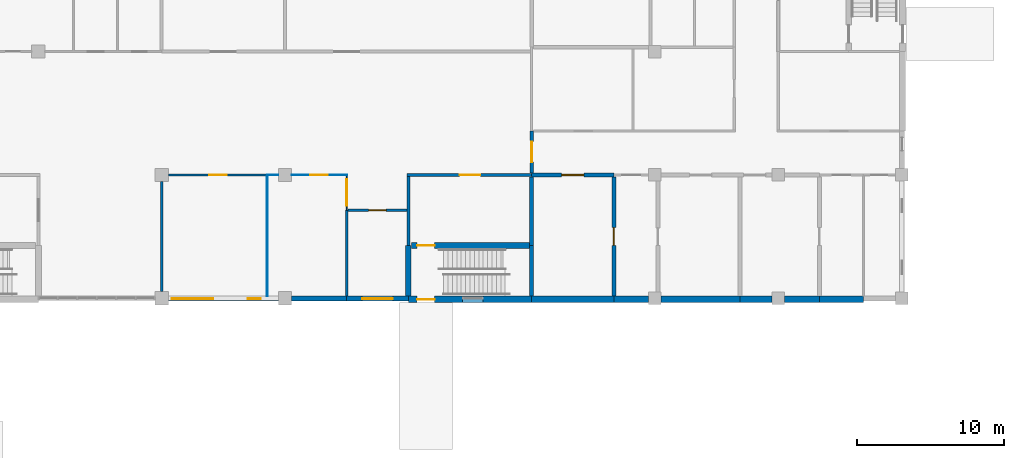
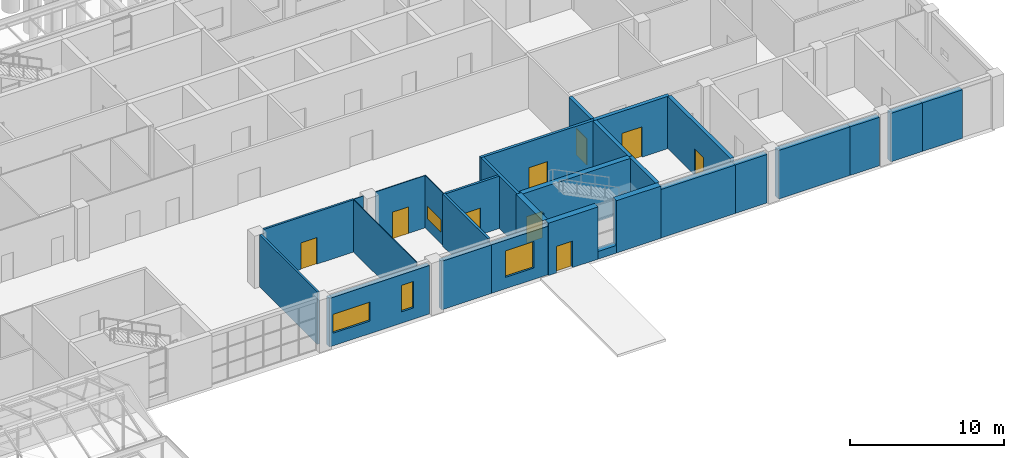
# One storey, part 112 of 138: 29 walls, 9 doors, 4 windows, 13 openings.
"""IFC4 building model written with IfcOpenShell, lengths in metres."""

from ifc_helpers import new_model, si_unit, direction, frame, frame_2d, origin, place, context, subcontext, project, spatial, rectangle, extrude, material, layer, layer_set, type_object, element, fill, save


model = new_model("IFC4")

# Units and contexts
model_context = context("Model", 3, precision=1e-05, world=origin(), true_north=direction((0.0, 1.0)))
body_context = subcontext(model_context, "Body", "Model", "MODEL_VIEW")
ifc_project = project(units=[si_unit("LENGTHUNIT", "METRE"), si_unit("AREAUNIT", "SQUARE_METRE"), si_unit("VOLUMEUNIT", "CUBIC_METRE"), si_unit("PLANEANGLEUNIT", "RADIAN"), si_unit("MASSUNIT", "GRAM", prefix="KILO")], contexts=[model_context])

# Site, building, storey
site_placement = place(None, origin())
site = spatial("IfcSite", under=ifc_project, at=site_placement, CompositionType="ELEMENT")
building_placement = place(site_placement, origin())
building = spatial("IfcBuilding", under=site, at=building_placement, Name="Yavir Park General Hospital", CompositionType="ELEMENT")
storey_placement = place(building_placement, origin())
storey = spatial("IfcBuildingStorey", under=building, at=storey_placement, Name="L00", CompositionType="ELEMENT", Elevation=0.0)

# Wall, opening, door
ifc_material_1 = material(Name="Double-leaf gypsum board acoustic partition on staggered studs")
ifc_layer_1 = layer(ifc_material_1, 0.175048828125)
ifc_layer_set_1 = layer_set([ifc_layer_1], Name="Double-leaf gypsum board acoustic partition on staggered studs")
wall_type_1 = type_object("IfcWallType", Name="Acoustic partition 175", PredefinedType="PARTITIONING", material=ifc_layer_set_1)
wall_1_placement = place(storey_placement, frame((130.28759765625, 6.0, 0.0), z_axis=(0.0, 0.0, 1.0), x_axis=(1.0, 0.0, 0.0)))
wall_1 = element("IfcWall", 1, at=wall_1_placement, inside=storey, type_object=wall_type_1, Name="AP175 L00-007", PredefinedType="PARTITIONING", context=body_context, shape_type="SweptSolid", body=[
    extrude(rectangle(XDim=4.012451171875, YDim=0.175048828125, at=frame_2d((2.00634765625, 0.0))), origin(), (0.0, 0.0, 1.0), 4.139892578125),
])
opening_1_placement = place(wall_1_placement, frame((1.40625, 0.0, 0.0)))
opening_1 = element("IfcOpeningElement", 2, at=opening_1_placement, cuts=wall_1, Name="Opening L00.D007", PredefinedType="OPENING", context=body_context, shape_type="SweptSolid", body=[
    extrude(rectangle(XDim=1.199951171875, YDim=2.10009765625, at=frame_2d((0.60009765625, 1.050048828125))), frame((0.0, 0.097412109375, 0.0), z_axis=(0.0, -1.0, 0.0), x_axis=(1.0, 0.0, 0.0)), (0.0, 0.0, 1.0), 0.195068359375),
])
ifc_material_2 = material(Name="Sealed solid-core acoustic door leaf, Rw 42 dB")
door_type_1 = type_object("IfcDoorType", Name="Acoustic door 1200 x 2100", OperationType="SINGLE_SWING_LEFT", PredefinedType="DOOR", material=ifc_material_2)
door_1_placement = place(opening_1_placement, origin())
door_1 = element("IfcDoor", 3, at=door_1_placement, inside=storey, type_object=door_type_1, Name="L00.D007", OperationType="SINGLE_SWING_LEFT", OverallHeight=2.10009765625, OverallWidth=1.199951171875, PredefinedType="DOOR", context=body_context, shape_type="SweptSolid", body=[
    extrude(rectangle(XDim=1.199951171875, YDim=2.10009765625, at=frame_2d((0.60009765625, 1.050048828125))), frame((0.0, 0.03515625, 0.0), z_axis=(0.0, -1.0, 0.0), x_axis=(1.0, 0.0, 0.0)), (0.0, 0.0, 1.0), 0.070068359375),
])
fill(opening_1, door_1)

# Wall
wall_2_placement = place(storey_placement, frame((130.199951171875, 0.14990234375, 0.0), z_axis=(0.0, 0.0, 1.0), x_axis=(0.0, 1.0, 0.0)))
element("IfcWall", 4, at=wall_2_placement, inside=storey, type_object=wall_type_1, Name="AP175 L00-450", PredefinedType="PARTITIONING", context=body_context, shape_type="SweptSolid", body=[
    extrude(rectangle(XDim=5.85009765625, YDim=0.175048828125, at=frame_2d((2.925048828125, 0.0))), origin(), (0.0, 0.0, 1.0), 4.139892578125),
])

# Wall, opening, door
ifc_material_3 = material(Name="Concrete C30/37", Category="concrete")
ifc_layer_2 = layer(ifc_material_3, 0.25)
ifc_layer_set_2 = layer_set([ifc_layer_2], Name="Concrete C30/37")
wall_type_2 = type_object("IfcWallType", Name="Compartment fire wall 250, REI 150", PredefinedType="SOLIDWALL", material=ifc_layer_set_2)
wall_3_placement = place(storey_placement, frame((142.800048828125, 8.53759765625, 0.0), z_axis=(0.0, 0.0, 1.0), x_axis=(0.0, 1.0, 0.0)))
wall_3 = element("IfcWall", 5, at=wall_3_placement, inside=storey, type_object=wall_type_2, Name="FW25 L00-462", PredefinedType="SOLIDWALL", context=body_context, shape_type="SweptSolid", body=[
    extrude(rectangle(XDim=2.8623046875, YDim=0.25, at=frame_2d((1.43115234375, 0.0))), origin(), (0.0, 0.0, 1.0), 4.139892578125),
])
opening_2_placement = place(wall_3_placement, frame((0.731201171875, 0.0, 0.0)))
opening_2 = element("IfcOpeningElement", 6, at=opening_2_placement, cuts=wall_3, Name="Opening L00.D212", PredefinedType="OPENING", context=body_context, shape_type="SweptSolid", body=[
    extrude(rectangle(XDim=1.39990234375, YDim=2.10009765625, at=frame_2d((0.699951171875, 1.050048828125))), frame((0.0, 0.135009765625, 0.0), z_axis=(0.0, -1.0, 0.0), x_axis=(1.0, 0.0, 0.0)), (0.0, 0.0, 1.0), 0.27001953125),
])
ifc_material_4 = material(Name="Steel frame, fire-resisting timber leaves", Category="steel")
door_type_2 = type_object("IfcDoorType", Name="Double fire door 1400 x 2100, EI 60", OperationType="DOUBLE_DOOR_SINGLE_SWING", PredefinedType="DOOR", material=ifc_material_4)
door_2_placement = place(opening_2_placement, origin())
door_2 = element("IfcDoor", 7, at=door_2_placement, inside=storey, type_object=door_type_2, Name="L00.D212", OperationType="SINGLE_SWING_RIGHT", OverallHeight=2.10009765625, OverallWidth=1.39990234375, PredefinedType="DOOR", context=body_context, shape_type="SweptSolid", body=[
    extrude(rectangle(XDim=1.39990234375, YDim=2.10009765625, at=frame_2d((0.699951171875, 1.050048828125))), frame((0.0, 0.02490234375, 0.0), z_axis=(0.0, -1.0, 0.0), x_axis=(1.0, 0.0, 0.0)), (0.0, 0.0, 1.0), 0.050048828125),
])
fill(opening_2, door_2)

ifc_material_5 = material(Name="Double gypsum board fire partition on steel studs", Category="steel")
ifc_layer_3 = layer(ifc_material_5, 0.199951171875)
ifc_layer_set_3 = layer_set([ifc_layer_3], Name="Double gypsum board fire partition on steel studs")
wall_type_3 = type_object("IfcWallType", Name="Fire-rated partition 200, EI 60", PredefinedType="PARTITIONING", material=ifc_layer_set_3)
wall_4_placement = place(storey_placement, frame((134.300048828125, 8.39990234375, 0.0), z_axis=(0.0, 0.0, 1.0), x_axis=(1.0, 0.0, 0.0)))
wall_4 = element("IfcWall", 8, at=wall_4_placement, inside=storey, type_object=wall_type_3, Name="FP20 L00-016", PredefinedType="PARTITIONING", context=body_context, shape_type="SweptSolid", body=[
    extrude(rectangle(XDim=8.5, YDim=0.199951171875, at=frame_2d((4.25, 0.0))), origin(), (0.0, 0.0, 1.0), 4.139892578125),
])
opening_3_placement = place(wall_4_placement, frame((3.60009765625, 0.0, 0.0)))
opening_3 = element("IfcOpeningElement", 9, at=opening_3_placement, cuts=wall_4, Name="Opening L00.D014", PredefinedType="OPENING", context=body_context, shape_type="SweptSolid", body=[
    extrude(rectangle(XDim=1.39990234375, YDim=2.10009765625, at=frame_2d((0.699951171875, 1.050048828125))), frame((0.0, 0.10986328125, 0.0), z_axis=(0.0, -1.0, 0.0), x_axis=(1.0, 0.0, 0.0)), (0.0, 0.0, 1.0), 0.219970703125),
])
door_3_placement = place(opening_3_placement, origin())
door_3 = element("IfcDoor", 10, at=door_3_placement, inside=storey, type_object=door_type_2, Name="L00.D014", OperationType="SINGLE_SWING_LEFT", OverallHeight=2.10009765625, OverallWidth=1.39990234375, PredefinedType="DOOR", context=body_context, shape_type="SweptSolid", body=[
    extrude(rectangle(XDim=1.39990234375, YDim=2.10009765625, at=frame_2d((0.699951171875, 1.050048828125))), frame((0.0, 0.02490234375, 0.0), z_axis=(0.0, -1.0, 0.0), x_axis=(1.0, 0.0, 0.0)), (0.0, 0.0, 1.0), 0.050048828125),
])
fill(opening_3, door_3)

# Wall
wall_5_placement = place(storey_placement, frame((134.39990234375, 3.60009765625, 0.0), z_axis=(0.0, 0.0, 1.0), x_axis=(0.0, 1.0, 0.0)))
element("IfcWall", 11, at=wall_5_placement, inside=storey, type_object=wall_type_3, Name="FP20 L00-455", PredefinedType="PARTITIONING", context=body_context, shape_type="SweptSolid", body=[
    extrude(rectangle(XDim=4.699951171875, YDim=0.199951171875, at=frame_2d((2.35009765625, 0.0))), origin(), (0.0, 0.0, 1.0), 4.139892578125),
])

# Wall, opening, door
ifc_material_6 = material(Name="Gypsum board partition on steel studs", Category="steel")
ifc_layer_4 = layer(ifc_material_6, 0.14990234375)
ifc_layer_set_4 = layer_set([ifc_layer_4], Name="Gypsum board partition on steel studs")
wall_type_4 = type_object("IfcWallType", Name="Gypsum board partition 150", PredefinedType="PARTITIONING", material=ifc_layer_set_4)
wall_6_placement = place(storey_placement, frame((118.050048828125, 8.39990234375, 0.0), z_axis=(0.0, 0.0, 1.0), x_axis=(1.0, 0.0, 0.0)))
wall_6 = element("IfcWall", 12, at=wall_6_placement, inside=storey, type_object=wall_type_4, Name="P15 L00-013", PredefinedType="PARTITIONING", context=body_context, shape_type="SweptSolid", body=[
    extrude(rectangle(XDim=6.75, YDim=0.14990234375, at=frame_2d((3.375, 0.0))), origin(), (0.0, 0.0, 1.0), 4.139892578125),
])
opening_4_placement = place(wall_6_placement, frame((2.77490234375, 0.0, 0.0)))
opening_4 = element("IfcOpeningElement", 13, at=opening_4_placement, cuts=wall_6, Name="Opening L00.D012", PredefinedType="OPENING", context=body_context, shape_type="SweptSolid", body=[
    extrude(rectangle(XDim=1.199951171875, YDim=2.10009765625, at=frame_2d((0.60009765625, 1.050048828125))), frame((0.0, 0.0849609375, 0.0), z_axis=(0.0, -1.0, 0.0), x_axis=(1.0, 0.0, 0.0)), (0.0, 0.0, 1.0), 0.169921875),
])
ifc_material_7 = material(Name="Hollow metal frame, solid-core timber leaf", Category="wood")
door_type_3 = type_object("IfcDoorType", Name="Single swing door 1200 x 2100", OperationType="SINGLE_SWING_LEFT", PredefinedType="DOOR", material=ifc_material_7)
door_4_placement = place(opening_4_placement, origin())
door_4 = element("IfcDoor", 14, at=door_4_placement, inside=storey, type_object=door_type_3, Name="L00.D012", OperationType="SINGLE_SWING_LEFT", OverallHeight=2.10009765625, OverallWidth=1.199951171875, PredefinedType="DOOR", context=body_context, shape_type="SweptSolid", body=[
    extrude(rectangle(XDim=1.199951171875, YDim=2.10009765625, at=frame_2d((0.60009765625, 1.050048828125))), frame((0.0, 0.02490234375, 0.0), z_axis=(0.0, -1.0, 0.0), x_axis=(1.0, 0.0, 0.0)), (0.0, 0.0, 1.0), 0.050048828125),
])
fill(opening_4, door_4)

# Walls
wall_7_placement = place(storey_placement, frame((117.60009765625, 0.449951171875, 0.0), z_axis=(0.0, 0.0, 1.0), x_axis=(0.0, 1.0, 0.0)))
element("IfcWall", 15, at=wall_7_placement, inside=storey, type_object=wall_type_4, Name="P15 L00-438", PredefinedType="PARTITIONING", context=body_context, shape_type="SweptSolid", body=[
    extrude(rectangle(XDim=7.5, YDim=0.14990234375, at=frame_2d((3.75, 0.0))), origin(), (0.0, 0.0, 1.0), 4.139892578125),
])
ifc_material_8 = material(Name="Hygienic sandwich panel with galvanised steel sheet faces", Category="steel")
ifc_layer_5 = layer(ifc_material_8, 0.06005859375)
ifc_layer_set_5 = layer_set([ifc_layer_5], Name="Hygienic sandwich panel with galvanised steel sheet faces")
wall_type_5 = type_object("IfcWallType", Name="Hygienic panel partition 60", PredefinedType="PARTITIONING", material=ifc_layer_set_5)
wall_8_placement = place(storey_placement, frame((124.800048828125, 8.39990234375, 0.0), z_axis=(0.0, 0.0, 1.0), x_axis=(1.0, 0.0, 0.0)))
element("IfcWall", 16, at=wall_8_placement, inside=storey, type_object=wall_type_5, Name="HP60 L00-014", PredefinedType="PARTITIONING", context=body_context, shape_type="SweptSolid", body=[
    extrude(rectangle(XDim=0.75, YDim=0.06005859375, at=frame_2d((0.375, 0.0))), origin(), (0.0, 0.0, 1.0), 4.139892578125),
])

# Wall, opening, door
wall_9_placement = place(storey_placement, frame((126.449951171875, 8.39990234375, 0.0), z_axis=(0.0, 0.0, 1.0), x_axis=(1.0, 0.0, 0.0)))
wall_9 = element("IfcWall", 17, at=wall_9_placement, inside=storey, type_object=wall_type_5, Name="HP60 L00-015", PredefinedType="PARTITIONING", context=body_context, shape_type="SweptSolid", body=[
    extrude(rectangle(XDim=3.780029296875, YDim=0.06005859375, at=frame_2d((1.89013671875, 0.0))), origin(), (0.0, 0.0, 1.0), 4.139892578125),
])
opening_5_placement = place(wall_9_placement, frame((1.27490234375, 0.0, 0.0)))
opening_5 = element("IfcOpeningElement", 18, at=opening_5_placement, cuts=wall_9, Name="Opening L00.D013", PredefinedType="OPENING", context=body_context, shape_type="SweptSolid", body=[
    extrude(rectangle(XDim=1.199951171875, YDim=2.10009765625, at=frame_2d((0.60009765625, 1.050048828125))), frame((0.0, 0.0400390625, 0.0), z_axis=(0.0, -1.0, 0.0), x_axis=(1.0, 0.0, 0.0)), (0.0, 0.0, 1.0), 0.080078125),
])
door_5_placement = place(opening_5_placement, origin())
door_5 = element("IfcDoor", 19, at=door_5_placement, inside=storey, type_object=door_type_3, Name="L00.D013", OperationType="SINGLE_SWING_LEFT", OverallHeight=2.10009765625, OverallWidth=1.199951171875, PredefinedType="DOOR", context=body_context, shape_type="SweptSolid", body=[
    extrude(rectangle(XDim=1.199951171875, YDim=2.10009765625, at=frame_2d((0.60009765625, 1.050048828125))), frame((0.0, 0.02490234375, 0.0), z_axis=(0.0, -1.0, 0.0), x_axis=(1.0, 0.0, 0.0)), (0.0, 0.0, 1.0), 0.050048828125),
])
fill(opening_5, door_5)

# Wall
wall_10_placement = place(storey_placement, frame((124.800048828125, 0.14990234375, 0.0), z_axis=(0.0, 0.0, 1.0), x_axis=(0.0, 1.0, 0.0)))
element("IfcWall", 20, at=wall_10_placement, inside=storey, type_object=wall_type_5, Name="HP60 L00-445", PredefinedType="PARTITIONING", context=body_context, shape_type="SweptSolid", body=[
    extrude(rectangle(XDim=8.175048828125, YDim=0.06005859375, at=frame_2d((4.08740234375, 0.0))), origin(), (0.0, 0.0, 1.0), 4.139892578125),
])

# Wall, opening, window
wall_11_placement = place(storey_placement, frame((130.199951171875, 6.0, 0.0), z_axis=(0.0, 0.0, 1.0), x_axis=(0.0, 1.0, 0.0)))
wall_11 = element("IfcWall", 21, at=wall_11_placement, inside=storey, type_object=wall_type_5, Name="HP60 L00-451", PredefinedType="PARTITIONING", context=body_context, shape_type="SweptSolid", body=[
    extrude(rectangle(XDim=2.3701171875, YDim=0.06005859375, at=frame_2d((1.18505859375, 0.0))), origin(), (0.0, 0.0, 1.0), 4.139892578125),
])
opening_6_placement = place(wall_11_placement, frame((0.300048828125, 0.0, 0.89990234375)))
opening_6 = element("IfcOpeningElement", 22, at=opening_6_placement, cuts=wall_11, Name="Opening L00.908", PredefinedType="OPENING", context=body_context, shape_type="SweptSolid", body=[
    extrude(rectangle(XDim=1.800048828125, YDim=1.0, at=frame_2d((0.89990234375, 0.5))), frame((0.0, 0.0400390625, 0.0), z_axis=(0.0, -1.0, 0.0), x_axis=(1.0, 0.0, 0.0)), (0.0, 0.0, 1.0), 0.080078125),
])
ifc_material_9 = material(Name="Security glass, stainless steel counter frame", Category="steel")
window_type_1 = type_object("IfcWindowType", Name="Pharmacy dispensing hatch 1800 x 1000", PartitioningType="DOUBLE_PANEL_HORIZONTAL", PredefinedType="WINDOW", material=ifc_material_9)
window_1_placement = place(opening_6_placement, origin())
window_1 = element("IfcWindow", 23, at=window_1_placement, inside=storey, type_object=window_type_1, Name="L00.908", OverallHeight=1.0, OverallWidth=1.800048828125, PartitioningType="DOUBLE_PANEL_HORIZONTAL", PredefinedType="WINDOW", context=body_context, shape_type="SweptSolid", body=[
    extrude(rectangle(XDim=1.800048828125, YDim=1.0, at=frame_2d((0.89990234375, 0.5))), frame((0.0, 0.02978515625, 0.0), z_axis=(0.0, -1.0, 0.0), x_axis=(1.0, 0.0, 0.0)), (0.0, 0.0, 1.0), 0.0595703125),
])
fill(opening_6, window_1)

# Walls
ifc_material_10 = material(Name="Concrete C30/37 precast panel with 3 mm lead sheet lining and mineral wool insulation", Category="concrete")
ifc_layer_6 = layer(ifc_material_10, 0.425048828125)
ifc_layer_set_6 = layer_set([ifc_layer_6], Name="Concrete C30/37 precast panel with 3 mm lead sheet lining and mineral wool insulation")
wall_type_6 = type_object("IfcWallType", Name="Lead-lined imaging room wall 425, E 30", PredefinedType="SOLIDWALL", material=ifc_layer_set_6)
wall_12_placement = place(storey_placement, frame((142.800048828125, -0.0625, 0.0), z_axis=(0.0, 0.0, 1.0), x_axis=(1.0, 0.0, 0.0)))
element("IfcWall", 24, at=wall_12_placement, inside=storey, type_object=wall_type_6, Name="XW8 L00-025", PredefinedType="SOLIDWALL", context=body_context, shape_type="SweptSolid", body=[
    extrude(rectangle(XDim=5.599853515625, YDim=0.425048828125, at=frame_2d((2.7998046875, 0.0))), origin(), (0.0, 0.0, 1.0), 3.840087890625),
])
wall_13_placement = place(storey_placement, frame((148.39990234375, -0.0625, 0.0), z_axis=(0.0, 0.0, 1.0), x_axis=(1.0, 0.0, 0.0)))
element("IfcWall", 25, at=wall_13_placement, inside=storey, type_object=wall_type_6, Name="XW8 L00-026", PredefinedType="SOLIDWALL", context=body_context, shape_type="SweptSolid", body=[
    extrude(rectangle(XDim=2.375, YDim=0.425048828125, at=frame_2d((1.1875, 0.0))), origin(), (0.0, 0.0, 1.0), 3.840087890625),
])
wall_14_placement = place(storey_placement, frame((151.625, -0.0625, 0.0), z_axis=(0.0, 0.0, 1.0), x_axis=(1.0, 0.0, 0.0)))
element("IfcWall", 26, at=wall_14_placement, inside=storey, type_object=wall_type_6, Name="XW8 L00-027", PredefinedType="SOLIDWALL", context=body_context, shape_type="SweptSolid", body=[
    extrude(rectangle(XDim=5.375, YDim=0.425048828125, at=frame_2d((2.6875, 0.0))), origin(), (0.0, 0.0, 1.0), 3.840087890625),
])
wall_15_placement = place(storey_placement, frame((157.0, -0.0625, 0.0), z_axis=(0.0, 0.0, 1.0), x_axis=(1.0, 0.0, 0.0)))
element("IfcWall", 27, at=wall_15_placement, inside=storey, type_object=wall_type_6, Name="XW8 L00-028", PredefinedType="SOLIDWALL", context=body_context, shape_type="SweptSolid", body=[
    extrude(rectangle(XDim=2.175048828125, YDim=0.425048828125, at=frame_2d((1.08740234375, 0.0))), origin(), (0.0, 0.0, 1.0), 3.840087890625),
])
wall_16_placement = place(storey_placement, frame((160.02490234375, -0.0625, 0.0), z_axis=(0.0, 0.0, 1.0), x_axis=(1.0, 0.0, 0.0)))
element("IfcWall", 28, at=wall_16_placement, inside=storey, type_object=wall_type_6, Name="XW8 L00-029", PredefinedType="SOLIDWALL", context=body_context, shape_type="SweptSolid", body=[
    extrude(rectangle(XDim=2.375, YDim=0.425048828125, at=frame_2d((1.1875, 0.0))), origin(), (0.0, 0.0, 1.0), 3.840087890625),
])
wall_17_placement = place(storey_placement, frame((162.39990234375, -0.0625, 0.0), z_axis=(0.0, 0.0, 1.0), x_axis=(1.0, 0.0, 0.0)))
element("IfcWall", 29, at=wall_17_placement, inside=storey, type_object=wall_type_6, Name="XW8 L00-030", PredefinedType="SOLIDWALL", context=body_context, shape_type="SweptSolid", body=[
    extrude(rectangle(XDim=3.0, YDim=0.425048828125, at=frame_2d((1.5, 0.0))), origin(), (0.0, 0.0, 1.0), 3.840087890625),
])

# Wall, opening, door
ifc_material_11 = material(Name="Lead-lined block wall, 3 mm lead sheet, RF-sealed")
ifc_layer_7 = layer(ifc_material_11, 0.27490234375)
ifc_layer_set_7 = layer_set([ifc_layer_7], Name="Lead-lined block wall, 3 mm lead sheet, RF-sealed")
wall_type_7 = type_object("IfcWallType", Name="Lead-lined shielding wall 275, EI 60", PredefinedType="SOLIDWALL", material=ifc_layer_set_7)
wall_18_placement = place(storey_placement, frame((142.800048828125, 8.39990234375, 0.0), z_axis=(0.0, 0.0, 1.0), x_axis=(1.0, 0.0, 0.0)))
wall_18 = element("IfcWall", 30, at=wall_18_placement, inside=storey, type_object=wall_type_7, Name="LC275 L00-017", PredefinedType="SOLIDWALL", context=body_context, shape_type="SweptSolid", body=[
    extrude(rectangle(XDim=5.599853515625, YDim=0.27490234375, at=frame_2d((2.7998046875, 0.0))), origin(), (0.0, 0.0, 1.0), 4.139892578125),
])
opening_7_placement = place(wall_18_placement, frame((2.050048828125, 0.0, 0.0)))
opening_7 = element("IfcOpeningElement", 31, at=opening_7_placement, cuts=wall_18, Name="Opening L00.D015", PredefinedType="OPENING", context=body_context, shape_type="SweptSolid", body=[
    extrude(rectangle(XDim=1.5, YDim=2.39990234375, at=frame_2d((0.75, 1.199951171875))), frame((0.0, 0.1474609375, 0.0), z_axis=(0.0, -1.0, 0.0), x_axis=(1.0, 0.0, 0.0)), (0.0, 0.0, 1.0), 0.294921875),
])
ifc_material_12 = material(Name="Lead-lined steel leaves, 3 mm lead, RF-sealed frame", Category="steel")
door_type_4 = type_object("IfcDoorType", Name="Lead-lined scanner room door 1500 x 2400, EI 60", OperationType="DOUBLE_DOOR_SINGLE_SWING", PredefinedType="DOOR", material=ifc_material_12)
door_6_placement = place(opening_7_placement, origin())
door_6 = element("IfcDoor", 32, at=door_6_placement, inside=storey, type_object=door_type_4, Name="L00.D015", OperationType="SINGLE_SWING_LEFT", OverallHeight=2.39990234375, OverallWidth=1.5, PredefinedType="DOOR", context=body_context, shape_type="SweptSolid", body=[
    extrude(rectangle(XDim=1.5, YDim=2.39990234375, at=frame_2d((0.75, 1.199951171875))), frame((0.0, 0.044921875, 0.0), z_axis=(0.0, -1.0, 0.0), x_axis=(1.0, 0.0, 0.0)), (0.0, 0.0, 1.0), 0.090087890625),
])
fill(opening_7, door_6)

# Wall
wall_19_placement = place(storey_placement, frame((142.800048828125, 3.60009765625, 0.0), z_axis=(0.0, 0.0, 1.0), x_axis=(0.0, 1.0, 0.0)))
element("IfcWall", 33, at=wall_19_placement, inside=storey, type_object=wall_type_7, Name="LC275 L00-461", PredefinedType="SOLIDWALL", context=body_context, shape_type="SweptSolid", body=[
    extrude(rectangle(XDim=4.662353515625, YDim=0.27490234375, at=frame_2d((2.3310546875, 0.0))), origin(), (0.0, 0.0, 1.0), 4.139892578125),
])

# Wall, opening, door
wall_20_placement = place(storey_placement, frame((148.39990234375, 0.14990234375, 0.0), z_axis=(0.0, 0.0, 1.0), x_axis=(0.0, 1.0, 0.0)))
wall_20 = element("IfcWall", 34, at=wall_20_placement, inside=storey, type_object=wall_type_7, Name="LC275 L00-470", PredefinedType="SOLIDWALL", context=body_context, shape_type="SweptSolid", body=[
    extrude(rectangle(XDim=8.112548828125, YDim=0.27490234375, at=frame_2d((4.05615234375, 0.0))), origin(), (0.0, 0.0, 1.0), 4.139892578125),
])
opening_8_placement = place(wall_20_placement, frame((3.456298828125, 0.0, 0.0)))
opening_8 = element("IfcOpeningElement", 35, at=opening_8_placement, cuts=wall_20, Name="Opening L00.D217", PredefinedType="OPENING", context=body_context, shape_type="SweptSolid", body=[
    extrude(rectangle(XDim=1.199951171875, YDim=2.10009765625, at=frame_2d((0.60009765625, 1.050048828125))), frame((0.0, 0.1474609375, 0.0), z_axis=(0.0, -1.0, 0.0), x_axis=(1.0, 0.0, 0.0)), (0.0, 0.0, 1.0), 0.294921875),
])
ifc_material_13 = material(Name="Lead-lined steel door leaf, 2.5 mm lead", Category="steel")
door_type_5 = type_object("IfcDoorType", Name="Lead-lined door 1200 x 2100, EI 60", OperationType="SINGLE_SWING_LEFT", PredefinedType="DOOR", material=ifc_material_13)
door_7_placement = place(opening_8_placement, origin())
door_7 = element("IfcDoor", 36, at=door_7_placement, inside=storey, type_object=door_type_5, Name="L00.D217", OperationType="SINGLE_SWING_RIGHT", OverallHeight=2.10009765625, OverallWidth=1.199951171875, PredefinedType="DOOR", context=body_context, shape_type="SweptSolid", body=[
    extrude(rectangle(XDim=1.199951171875, YDim=2.10009765625, at=frame_2d((0.60009765625, 1.050048828125))), frame((0.0, 0.0400390625, 0.0), z_axis=(0.0, -1.0, 0.0), x_axis=(1.0, 0.0, 0.0)), (0.0, 0.0, 1.0), 0.080078125),
])
fill(opening_8, door_7)

# Wall
ifc_material_14 = material(Name="Lead-lined block wall, 3 mm lead sheet, RF-sealed")
ifc_layer_8 = layer(ifc_material_14, 0.27490234375)
ifc_layer_set_8 = layer_set([ifc_layer_8], Name="Lead-lined block wall, 3 mm lead sheet, RF-sealed")
wall_type_8 = type_object("IfcWallType", Name="Lead-lined shielding wall 275, REI 150", PredefinedType="SOLIDWALL", material=ifc_layer_set_8)
wall_21_placement = place(storey_placement, frame((142.800048828125, 0.14990234375, 0.0), z_axis=(0.0, 0.0, 1.0), x_axis=(0.0, 1.0, 0.0)))
element("IfcWall", 37, at=wall_21_placement, inside=storey, type_object=wall_type_8, Name="LC275 L00-460", PredefinedType="SOLIDWALL", context=body_context, shape_type="SweptSolid", body=[
    extrude(rectangle(XDim=3.4501953125, YDim=0.27490234375, at=frame_2d((1.72509765625, 0.0))), origin(), (0.0, 0.0, 1.0), 4.139892578125),
])

# Wall, openings, windows
ifc_material_15 = material(Name="Concrete C30/37 precast panel with 120 mm mineral wool insulation", Category="concrete")
ifc_layer_9 = layer(ifc_material_15, 0.35009765625)
ifc_layer_set_9 = layer_set([ifc_layer_9], Name="Concrete C30/37 precast panel with 120 mm mineral wool insulation")
wall_type_9 = type_object("IfcWallType", Name="Precast cladding panel podium wall 350, E 30", PredefinedType="SOLIDWALL", material=ifc_layer_set_9)
wall_22_placement = place(storey_placement, frame((118.050048828125, -0.02490234375, 0.0), z_axis=(0.0, 0.0, 1.0), x_axis=(1.0, 0.0, 0.0)))
wall_22 = element("IfcWall", 38, at=wall_22_placement, inside=storey, type_object=wall_type_9, Name="XW2 L00-018", PredefinedType="SOLIDWALL", context=body_context, shape_type="SweptSolid", body=[
    extrude(rectangle(XDim=7.5, YDim=0.35009765625, at=frame_2d((3.75, 0.0))), origin(), (0.0, 0.0, 1.0), 3.840087890625),
])
opening_9_placement = place(wall_22_placement, frame((0.25, 0.0, 1.0)))
opening_9 = element("IfcOpeningElement", 39, at=opening_9_placement, cuts=wall_22, Name="Opening WRB2", PredefinedType="OPENING", context=body_context, shape_type="SweptSolid", body=[
    extrude(rectangle(XDim=2.800048828125, YDim=1.5, at=frame_2d((1.39990234375, 0.75))), frame((0.0, 0.18505859375, 0.0), z_axis=(0.0, -1.0, 0.0), x_axis=(1.0, 0.0, 0.0)), (0.0, 0.0, 1.0), 0.3701171875),
])
opening_10_placement = place(wall_22_placement, frame((5.39990234375, 0.0, 0.89990234375)))
opening_10 = element("IfcOpeningElement", 40, at=opening_10_placement, cuts=wall_22, Name="Opening WH2", PredefinedType="OPENING", context=body_context, shape_type="SweptSolid", body=[
    extrude(rectangle(XDim=0.89990234375, YDim=2.10009765625, at=frame_2d((0.449951171875, 1.050048828125))), frame((0.0, 0.18505859375, 0.0), z_axis=(0.0, -1.0, 0.0), x_axis=(1.0, 0.0, 0.0)), (0.0, 0.0, 1.0), 0.3701171875),
])
ifc_material_16 = material(Name="Aluminium frame, double glazed unit", Category="aluminium")
window_type_2 = type_object("IfcWindowType", Name="Tall narrow window 900 x 2100", PartitioningType="SINGLE_PANEL", PredefinedType="WINDOW", material=ifc_material_16)
window_2_placement = place(opening_10_placement, origin())
window_2 = element("IfcWindow", 41, at=window_2_placement, inside=storey, type_object=window_type_2, Name="WH2 L00-004", OverallHeight=2.10009765625, OverallWidth=0.89990234375, PartitioningType="SINGLE_PANEL", PredefinedType="WINDOW", context=body_context, shape_type="SweptSolid", body=[
    extrude(rectangle(XDim=0.89990234375, YDim=2.10009765625, at=frame_2d((0.449951171875, 1.050048828125))), frame((0.0, 0.030029296875, 0.0), z_axis=(0.0, -1.0, 0.0), x_axis=(1.0, 0.0, 0.0)), (0.0, 0.0, 1.0), 0.06005859375),
])
fill(opening_10, window_2)
ifc_material_17 = material(Name="Aluminium frame, double glazed unit", Category="aluminium")
window_type_3 = type_object("IfcWindowType", Name="Tall ribbon window 2800 x 1500", PartitioningType="DOUBLE_PANEL_VERTICAL", PredefinedType="WINDOW", material=ifc_material_17)
window_3_placement = place(opening_9_placement, origin())
window_3 = element("IfcWindow", 42, at=window_3_placement, inside=storey, type_object=window_type_3, Name="WRB2 L00-003", OverallHeight=1.5, OverallWidth=2.800048828125, PartitioningType="DOUBLE_PANEL_VERTICAL", PredefinedType="WINDOW", context=body_context, shape_type="SweptSolid", body=[
    extrude(rectangle(XDim=2.800048828125, YDim=1.5, at=frame_2d((1.39990234375, 0.75))), frame((0.0, 0.030029296875, 0.0), z_axis=(0.0, -1.0, 0.0), x_axis=(1.0, 0.0, 0.0)), (0.0, 0.0, 1.0), 0.06005859375),
])
fill(opening_9, window_3)

# Wall
wall_23_placement = place(storey_placement, frame((126.449951171875, -0.02490234375, 0.0), z_axis=(0.0, 0.0, 1.0), x_axis=(1.0, 0.0, 0.0)))
element("IfcWall", 43, at=wall_23_placement, inside=storey, type_object=wall_type_9, Name="XW2 L00-020", PredefinedType="SOLIDWALL", context=body_context, shape_type="SweptSolid", body=[
    extrude(rectangle(XDim=3.75, YDim=0.35009765625, at=frame_2d((1.875, 0.0))), origin(), (0.0, 0.0, 1.0), 3.840087890625),
])

# Wall, opening, window
wall_24_placement = place(storey_placement, frame((130.199951171875, -0.02490234375, 0.0), z_axis=(0.0, 0.0, 1.0), x_axis=(1.0, 0.0, 0.0)))
wall_24 = element("IfcWall", 44, at=wall_24_placement, inside=storey, type_object=wall_type_9, Name="XW2 L00-021", PredefinedType="SOLIDWALL", context=body_context, shape_type="SweptSolid", body=[
    extrude(rectangle(XDim=4.199951171875, YDim=0.35009765625, at=frame_2d((2.10009765625, 0.0))), origin(), (0.0, 0.0, 1.0), 3.840087890625),
])
opening_11_placement = place(wall_24_placement, frame((1.050048828125, 0.0, 0.89990234375)))
opening_11 = element("IfcOpeningElement", 45, at=opening_11_placement, cuts=wall_24, Name="Opening WA2", PredefinedType="OPENING", context=body_context, shape_type="SweptSolid", body=[
    extrude(rectangle(XDim=2.10009765625, YDim=2.10009765625, at=frame_2d((1.050048828125, 1.050048828125))), frame((0.0, 0.18505859375, 0.0), z_axis=(0.0, -1.0, 0.0), x_axis=(1.0, 0.0, 0.0)), (0.0, 0.0, 1.0), 0.3701171875),
])
ifc_material_18 = material(Name="Aluminium frame, double glazed unit", Category="aluminium")
window_type_4 = type_object("IfcWindowType", Name="Tall window 2100 x 2100", PartitioningType="DOUBLE_PANEL_VERTICAL", PredefinedType="WINDOW", material=ifc_material_18)
window_4_placement = place(opening_11_placement, origin())
window_4 = element("IfcWindow", 46, at=window_4_placement, inside=storey, type_object=window_type_4, Name="WA2 L00-005", OverallHeight=2.10009765625, OverallWidth=2.10009765625, PartitioningType="DOUBLE_PANEL_VERTICAL", PredefinedType="WINDOW", context=body_context, shape_type="SweptSolid", body=[
    extrude(rectangle(XDim=2.10009765625, YDim=2.10009765625, at=frame_2d((1.050048828125, 1.050048828125))), frame((0.0, 0.030029296875, 0.0), z_axis=(0.0, -1.0, 0.0), x_axis=(1.0, 0.0, 0.0)), (0.0, 0.0, 1.0), 0.06005859375),
])
fill(opening_11, window_4)

# Wall, opening, door
ifc_material_19 = material(Name="Concrete C35/45", Category="concrete")
ifc_layer_10 = layer(ifc_material_19, 0.39990234375)
ifc_layer_set_10 = layer_set([ifc_layer_10], Name="Concrete C35/45")
wall_type_10 = type_object("IfcWallType", Name="Reinforced concrete core wall 400, REI 150", PredefinedType="SHEAR", material=ifc_layer_set_10)
wall_25_placement = place(storey_placement, frame((134.60009765625, 3.60009765625, 0.0), z_axis=(0.0, 0.0, 1.0), x_axis=(1.0, 0.0, 0.0)))
wall_25 = element("IfcWall", 47, at=wall_25_placement, inside=storey, type_object=wall_type_10, Name="CW40 L00-004", PredefinedType="SHEAR", context=body_context, shape_type="SweptSolid", body=[
    extrude(rectangle(XDim=8.0625, YDim=0.39990234375, at=frame_2d((4.03125, 0.0))), origin(), (0.0, 0.0, 1.0), 4.139892578125),
])
opening_12_placement = place(wall_25_placement, frame((0.39990234375, 0.0, 0.0)))
opening_12 = element("IfcOpeningElement", 48, at=opening_12_placement, cuts=wall_25, Name="Opening L00.D004", PredefinedType="OPENING", context=body_context, shape_type="SweptSolid", body=[
    extrude(rectangle(XDim=1.199951171875, YDim=2.10009765625, at=frame_2d((0.60009765625, 1.050048828125))), frame((0.0, 0.2099609375, 0.0), z_axis=(0.0, -1.0, 0.0), x_axis=(1.0, 0.0, 0.0)), (0.0, 0.0, 1.0), 0.419921875),
])
ifc_material_20 = material(Name="Steel frame, fire-resisting timber leaf", Category="steel")
door_type_6 = type_object("IfcDoorType", Name="Fire door 1200 x 2100, EI 60", OperationType="SINGLE_SWING_LEFT", PredefinedType="DOOR", material=ifc_material_20)
door_8_placement = place(opening_12_placement, origin())
door_8 = element("IfcDoor", 49, at=door_8_placement, inside=storey, type_object=door_type_6, Name="L00.D004", OperationType="SINGLE_SWING_RIGHT", OverallHeight=2.10009765625, OverallWidth=1.199951171875, PredefinedType="DOOR", context=body_context, shape_type="SweptSolid", body=[
    extrude(rectangle(XDim=1.199951171875, YDim=2.10009765625, at=frame_2d((0.60009765625, 1.050048828125))), frame((0.0, 0.02490234375, 0.0), z_axis=(0.0, -1.0, 0.0), x_axis=(1.0, 0.0, 0.0)), (0.0, 0.0, 1.0), 0.050048828125),
])
fill(opening_12, door_8)

# Wall
wall_26_placement = place(storey_placement, frame((134.39990234375, 0.14990234375, 0.0), z_axis=(0.0, 0.0, 1.0), x_axis=(0.0, 1.0, 0.0)))
element("IfcWall", 50, at=wall_26_placement, inside=storey, type_object=wall_type_10, Name="CW40 L00-454", PredefinedType="SHEAR", context=body_context, shape_type="SweptSolid", body=[
    extrude(rectangle(XDim=3.4501953125, YDim=0.39990234375, at=frame_2d((1.72509765625, 0.0))), origin(), (0.0, 0.0, 1.0), 4.139892578125),
])

# Wall, opening, door
ifc_material_21 = material(Name="Concrete C30/37 precast panel with 150 mm mineral wool insulation", Category="concrete")
ifc_layer_11 = layer(ifc_material_21, 0.449951171875)
ifc_layer_set_11 = layer_set([ifc_layer_11], Name="Concrete C30/37 precast panel with 150 mm mineral wool insulation")
wall_type_11 = type_object("IfcWallType", Name="Stair enclosure wall 450, REI 150", PredefinedType="SOLIDWALL", material=ifc_layer_set_11)
wall_27_placement = place(storey_placement, frame((134.39990234375, -0.074951171875, 0.0), z_axis=(0.0, 0.0, 1.0), x_axis=(1.0, 0.0, 0.0)))
wall_27 = element("IfcWall", 51, at=wall_27_placement, inside=storey, type_object=wall_type_11, Name="XW6 L00-022", PredefinedType="SOLIDWALL", context=body_context, shape_type="SweptSolid", body=[
    extrude(rectangle(XDim=3.7001953125, YDim=0.449951171875, at=frame_2d((1.85009765625, 0.0))), origin(), (0.0, 0.0, 1.0), 4.139892578125),
])
opening_13_placement = place(wall_27_placement, frame((0.60009765625, 0.0, 0.0)))
opening_13 = element("IfcOpeningElement", 52, at=opening_13_placement, cuts=wall_27, Name="Opening L00.X09", PredefinedType="OPENING", context=body_context, shape_type="SweptSolid", body=[
    extrude(rectangle(XDim=1.199951171875, YDim=2.10009765625, at=frame_2d((0.60009765625, 1.050048828125))), frame((0.0, 0.23486328125, 0.0), z_axis=(0.0, -1.0, 0.0), x_axis=(1.0, 0.0, 0.0)), (0.0, 0.0, 1.0), 0.469970703125),
])
door_9_placement = place(opening_13_placement, frame((1.199951171875, 0.0, 0.0), x_axis=(-1.0, 0.0, 0.0)))
door_9 = element("IfcDoor", 53, at=door_9_placement, inside=storey, type_object=door_type_3, Name="L00.X09", OperationType="SINGLE_SWING_LEFT", OverallHeight=2.10009765625, OverallWidth=1.199951171875, PredefinedType="DOOR", context=body_context, shape_type="SweptSolid", body=[
    extrude(rectangle(XDim=1.199951171875, YDim=2.10009765625, at=frame_2d((0.60009765625, 1.050048828125))), frame((0.0, 0.02490234375, 0.0), z_axis=(0.0, -1.0, 0.0), x_axis=(1.0, 0.0, 0.0)), (0.0, 0.0, 1.0), 0.050048828125),
])
fill(opening_13, door_9)

# Walls
wall_28_placement = place(storey_placement, frame((139.5, -0.074951171875, 0.0), z_axis=(0.0, 0.0, 1.0), x_axis=(1.0, 0.0, 0.0)))
element("IfcWall", 54, at=wall_28_placement, inside=storey, type_object=wall_type_11, Name="XW6 L00-023", PredefinedType="SOLIDWALL", context=body_context, shape_type="SweptSolid", body=[
    extrude(rectangle(XDim=3.300048828125, YDim=0.449951171875, at=frame_2d((1.64990234375, 0.0))), origin(), (0.0, 0.0, 1.0), 4.139892578125),
])
wall_29_placement = place(storey_placement, frame((138.10009765625, -0.074951171875, 0.0), z_axis=(0.0, 0.0, 1.0), x_axis=(1.0, 0.0, 0.0)))
element("IfcWall", 55, at=wall_29_placement, inside=storey, type_object=wall_type_11, Name="XW6 L00-024", PredefinedType="SOLIDWALL", context=body_context, shape_type="SweptSolid", body=[
    extrude(rectangle(XDim=1.39990234375, YDim=0.449951171875, at=frame_2d((0.699951171875, 0.0))), origin(), (0.0, 0.0, 1.0), 0.60009765625),
])

save(model, "model.ifc")
